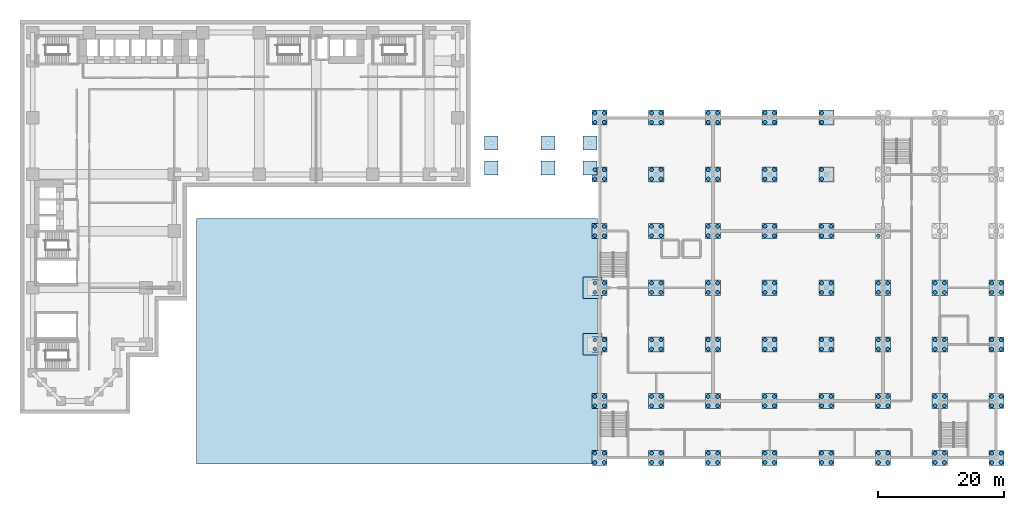
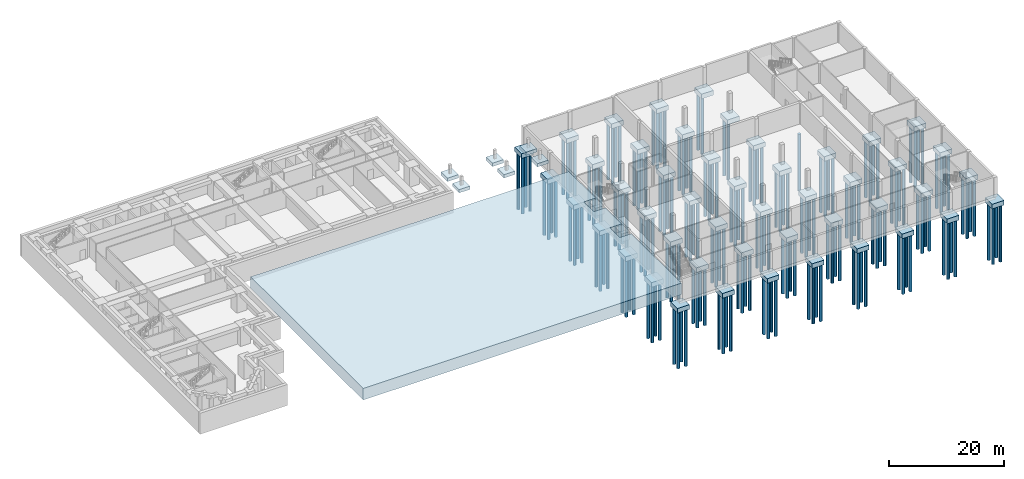
# One storey, part 1 of 12: 185 piles, 56 footings.
"""IFC4 building model written with IfcOpenShell, lengths in metres."""

from ifc_helpers import new_model, si_unit, direction, frame, origin, origin_2d, place, context, subcontext, project, spatial, polyline, rectangle, circle, outline, extrude, material, layer, layer_set, material_profile, profile_set, type_object, element, save


model = new_model("IFC4")

# Units and contexts
model_context = context("Model", 3, precision=1e-05, world=origin(), true_north=direction((0.0, 1.0)))
body_context = subcontext(model_context, "Body", "Model", "MODEL_VIEW")
ifc_project = project(units=[si_unit("LENGTHUNIT", "METRE"), si_unit("AREAUNIT", "SQUARE_METRE"), si_unit("VOLUMEUNIT", "CUBIC_METRE"), si_unit("PLANEANGLEUNIT", "RADIAN"), si_unit("MASSUNIT", "GRAM", prefix="KILO")], contexts=[model_context])

# Site, building, storey
site_placement = place(None, origin())
site = spatial("IfcSite", under=ifc_project, at=site_placement, CompositionType="ELEMENT")
building_placement = place(site_placement, origin())
building = spatial("IfcBuilding", under=site, at=building_placement, Name="Firuza Court", CompositionType="ELEMENT")
storey_placement = place(building_placement, frame((0.0, 0.0, -4.5)))
storey = spatial("IfcBuildingStorey", under=building, at=storey_placement, Name="B1", CompositionType="ELEMENT", Elevation=-4.5)

# Piles
ifc_material_1 = material(Name="Concrete C40/50", Category="concrete")
ifc_material_profile = material_profile(ifc_material_1, circle(Radius=0.300048828125, at=origin_2d()), Name="PILE 600")
ifc_profile_set = profile_set([ifc_material_profile], Name="Concrete C40/50")
pile_type = type_object("IfcPileType", Name="HALL BORED PILE 600", PredefinedType="BORED", material=ifc_profile_set)
for number, where, z_axis, x_axis, name in (
    (1, (89.260009765625, -9.739990234375, -1.60009765625), (0.0, 0.0, -1.0), (1.0, 0.0, 0.0), "Bored pile 1-1.1"),
    (2, (90.739990234375, -9.739990234375, -1.60009765625), (0.0, 0.0, -1.0), (1.0, 0.0, 0.0), "Bored pile 1-1.2"),
    (3, (89.260009765625, -8.260009765625, -1.60009765625), (0.0, 0.0, -1.0), (1.0, 0.0, 0.0), "Bored pile 1-1.3"),
    (4, (90.739990234375, -8.260009765625, -1.60009765625), (0.0, 0.0, -1.0), (1.0, 0.0, 0.0), "Bored pile 1-1.4"),
    (5, (89.260009765625, -0.739990234375, -1.60009765625), (0.0, 0.0, -1.0), (1.0, 0.0, 0.0), "Bored pile 1-2.1"),
    (6, (90.739990234375, -0.739990234375, -1.60009765625), (0.0, 0.0, -1.0), (1.0, 0.0, 0.0), "Bored pile 1-2.2"),
    (7, (89.260009765625, 0.739990234375, -1.60009765625), (0.0, 0.0, -1.0), (1.0, 0.0, 0.0), "Bored pile 1-2.3"),
    (8, (90.739990234375, 0.739990234375, -1.60009765625), (0.0, 0.0, -1.0), (1.0, 0.0, 0.0), "Bored pile 1-2.4"),
    (9, (89.260009765625, 8.260009765625, -1.60009765625), (0.0, 0.0, -1.0), (1.0, 0.0, 0.0), "Bored pile 1-3.1"),
    (10, (90.739990234375, 8.260009765625, -1.60009765625), (0.0, 0.0, -1.0), (1.0, 0.0, 0.0), "Bored pile 1-3.2"),
    (11, (89.260009765625, 9.739990234375, -1.60009765625), (0.0, 0.0, -1.0), (1.0, 0.0, 0.0), "Bored pile 1-3.3"),
    (12, (90.739990234375, 9.739990234375, -1.60009765625), (0.0, 0.0, -1.0), (1.0, 0.0, 0.0), "Bored pile 1-3.4"),
    (13, (89.260009765625, 17.260009765625, -1.60009765625), (0.0, 0.0, -1.0), (1.0, 0.0, 0.0), "Bored pile 1-4.1"),
    (14, (90.739990234375, 17.260009765625, -1.60009765625), (0.0, 0.0, -1.0), (1.0, 0.0, 0.0), "Bored pile 1-4.2"),
    (15, (89.260009765625, 18.739990234375, -1.60009765625), (0.0, 0.0, -1.0), (1.0, 0.0, 0.0), "Bored pile 1-4.3"),
    (16, (90.739990234375, 18.739990234375, -1.60009765625), (0.0, 0.0, -1.0), (1.0, 0.0, 0.0), "Bored pile 1-4.4"),
    (17, (89.260009765625, 26.260009765625, -1.60009765625), (0.0, 0.0, -1.0), (1.0, 0.0, 0.0), "Bored pile 1-5.1"),
    (18, (90.739990234375, 26.260009765625, -1.60009765625), (0.0, 0.0, -1.0), (1.0, 0.0, 0.0), "Bored pile 1-5.2"),
    (19, (89.260009765625, 27.739990234375, -1.60009765625), (0.0, 0.0, -1.0), (1.0, 0.0, 0.0), "Bored pile 1-5.3"),
    (20, (90.739990234375, 27.739990234375, -1.60009765625), (0.0, 0.0, -1.0), (1.0, 0.0, 0.0), "Bored pile 1-5.4"),
    (21, (89.260009765625, 35.260009765625, -1.60009765625), (0.0, 0.0, -1.0), (1.0, 0.0, 0.0), "Bored pile 1-6.1"),
    (22, (90.739990234375, 35.260009765625, -1.60009765625), (0.0, 0.0, -1.0), (1.0, 0.0, 0.0), "Bored pile 1-6.2"),
    (23, (89.260009765625, 36.739990234375, -1.60009765625), (0.0, 0.0, -1.0), (1.0, 0.0, 0.0), "Bored pile 1-6.3"),
    (24, (90.739990234375, 36.739990234375, -1.60009765625), (0.0, 0.0, -1.0), (1.0, 0.0, 0.0), "Bored pile 1-6.4"),
    (25, (89.260009765625, 44.260009765625, -1.60009765625), (0.0, 0.0, -1.0), (1.0, 0.0, 0.0), "Bored pile 1-7.1"),
    (26, (90.739990234375, 44.260009765625, -1.60009765625), (0.0, 0.0, -1.0), (1.0, 0.0, 0.0), "Bored pile 1-7.2"),
    (27, (89.260009765625, 45.739990234375, -1.60009765625), (0.0, 0.0, -1.0), (1.0, 0.0, 0.0), "Bored pile 1-7.3"),
    (28, (90.739990234375, 45.739990234375, -1.60009765625), (0.0, 0.0, -1.0), (1.0, 0.0, 0.0), "Bored pile 1-7.4"),
    (29, (98.260009765625, -9.739990234375, -1.60009765625), (0.0, 0.0, -1.0), (1.0, 0.0, 0.0), "Bored pile 2-1.1"),
    (30, (99.739990234375, -9.739990234375, -1.60009765625), (0.0, 0.0, -1.0), (1.0, 0.0, 0.0), "Bored pile 2-1.2"),
    (31, (98.260009765625, -8.260009765625, -1.60009765625), (0.0, 0.0, -1.0), (1.0, 0.0, 0.0), "Bored pile 2-1.3"),
    (32, (99.739990234375, -8.260009765625, -1.60009765625), (0.0, 0.0, -1.0), (1.0, 0.0, 0.0), "Bored pile 2-1.4"),
    (33, (98.260009765625, -0.739990234375, -1.60009765625), (0.0, 0.0, -1.0), (1.0, 0.0, 0.0), "Bored pile 2-2.1"),
    (34, (99.739990234375, -0.739990234375, -1.60009765625), (0.0, 0.0, -1.0), (1.0, 0.0, 0.0), "Bored pile 2-2.2"),
    (35, (98.260009765625, 0.739990234375, -1.60009765625), (0.0, 0.0, -1.0), (1.0, 0.0, 0.0), "Bored pile 2-2.3"),
    (36, (99.739990234375, 0.739990234375, -1.60009765625), (0.0, 0.0, -1.0), (1.0, 0.0, 0.0), "Bored pile 2-2.4"),
    (37, (98.260009765625, 8.260009765625, -1.60009765625), (0.0, 0.0, -1.0), (1.0, 0.0, 0.0), "Bored pile 2-3.1"),
    (38, (99.739990234375, 8.260009765625, -1.60009765625), (0.0, 0.0, -1.0), (1.0, 0.0, 0.0), "Bored pile 2-3.2"),
    (39, (98.260009765625, 9.739990234375, -1.60009765625), (0.0, 0.0, -1.0), (1.0, 0.0, 0.0), "Bored pile 2-3.3"),
    (40, (99.739990234375, 9.739990234375, -1.60009765625), (0.0, 0.0, -1.0), (1.0, 0.0, 0.0), "Bored pile 2-3.4"),
    (41, (98.260009765625, 17.260009765625, -1.60009765625), (0.0, 0.0, -1.0), (1.0, 0.0, 0.0), "Bored pile 2-4.1"),
    (42, (99.739990234375, 17.260009765625, -1.60009765625), (0.0, 0.0, -1.0), (1.0, 0.0, 0.0), "Bored pile 2-4.2"),
    (43, (98.260009765625, 18.739990234375, -1.60009765625), (0.0, 0.0, -1.0), (1.0, 0.0, 0.0), "Bored pile 2-4.3"),
    (44, (99.739990234375, 18.739990234375, -1.60009765625), (0.0, 0.0, -1.0), (1.0, 0.0, 0.0), "Bored pile 2-4.4"),
    (45, (98.260009765625, 26.260009765625, -1.60009765625), (0.0, 0.0, -1.0), (1.0, 0.0, 0.0), "Bored pile 2-5.1"),
    (46, (99.739990234375, 26.260009765625, -1.60009765625), (0.0, 0.0, -1.0), (1.0, 0.0, 0.0), "Bored pile 2-5.2"),
    (47, (98.260009765625, 27.739990234375, -1.60009765625), (0.0, 0.0, -1.0), (1.0, 0.0, 0.0), "Bored pile 2-5.3"),
    (48, (99.739990234375, 27.739990234375, -1.60009765625), (0.0, 0.0, -1.0), (1.0, 0.0, 0.0), "Bored pile 2-5.4"),
    (49, (98.260009765625, 35.260009765625, -1.60009765625), (0.0, 0.0, -1.0), (1.0, 0.0, 0.0), "Bored pile 2-6.1"),
    (50, (99.739990234375, 35.260009765625, -1.60009765625), (0.0, 0.0, -1.0), (1.0, 0.0, 0.0), "Bored pile 2-6.2"),
    (51, (98.260009765625, 36.739990234375, -1.60009765625), (0.0, 0.0, -1.0), (1.0, 0.0, 0.0), "Bored pile 2-6.3"),
    (52, (99.739990234375, 36.739990234375, -1.60009765625), (0.0, 0.0, -1.0), (1.0, 0.0, 0.0), "Bored pile 2-6.4"),
    (53, (98.260009765625, 44.260009765625, -1.60009765625), (0.0, 0.0, -1.0), (1.0, 0.0, 0.0), "Bored pile 2-7.1"),
    (54, (99.739990234375, 44.260009765625, -1.60009765625), (0.0, 0.0, -1.0), (1.0, 0.0, 0.0), "Bored pile 2-7.2"),
    (55, (98.260009765625, 45.739990234375, -1.60009765625), (0.0, 0.0, -1.0), (1.0, 0.0, 0.0), "Bored pile 2-7.3"),
    (56, (99.739990234375, 45.739990234375, -1.60009765625), (0.0, 0.0, -1.0), (1.0, 0.0, 0.0), "Bored pile 2-7.4"),
    (57, (107.260009765625, -9.739990234375, -1.60009765625), (0.0, 0.0, -1.0), (1.0, 0.0, 0.0), "Bored pile 3-1.1"),
    (58, (108.739990234375, -9.739990234375, -1.60009765625), (0.0, 0.0, -1.0), (1.0, 0.0, 0.0), "Bored pile 3-1.2"),
    (59, (107.260009765625, -8.260009765625, -1.60009765625), (0.0, 0.0, -1.0), (1.0, 0.0, 0.0), "Bored pile 3-1.3"),
    (60, (108.739990234375, -8.260009765625, -1.60009765625), (0.0, 0.0, -1.0), (1.0, 0.0, 0.0), "Bored pile 3-1.4"),
    (61, (107.260009765625, -0.739990234375, -1.60009765625), (0.0, 0.0, -1.0), (1.0, 0.0, 0.0), "Bored pile 3-2.1"),
    (62, (108.739990234375, -0.739990234375, -1.60009765625), (0.0, 0.0, -1.0), (1.0, 0.0, 0.0), "Bored pile 3-2.2"),
    (63, (107.260009765625, 0.739990234375, -1.60009765625), (0.0, 0.0, -1.0), (1.0, 0.0, 0.0), "Bored pile 3-2.3"),
    (64, (108.739990234375, 0.739990234375, -1.60009765625), (0.0, 0.0, -1.0), (1.0, 0.0, 0.0), "Bored pile 3-2.4"),
    (65, (107.260009765625, 8.260009765625, -1.60009765625), (0.0, 0.0, -1.0), (1.0, 0.0, 0.0), "Bored pile 3-3.1"),
    (66, (108.739990234375, 8.260009765625, -1.60009765625), (0.0, 0.0, -1.0), (1.0, 0.0, 0.0), "Bored pile 3-3.2"),
    (67, (107.260009765625, 9.739990234375, -1.60009765625), (0.0, 0.0, -1.0), (1.0, 0.0, 0.0), "Bored pile 3-3.3"),
    (68, (108.739990234375, 9.739990234375, -1.60009765625), (0.0, 0.0, -1.0), (1.0, 0.0, 0.0), "Bored pile 3-3.4"),
    (69, (107.260009765625, 17.260009765625, -1.60009765625), (0.0, 0.0, -1.0), (1.0, 0.0, 0.0), "Bored pile 3-4.1"),
    (70, (108.739990234375, 17.260009765625, -1.60009765625), (0.0, 0.0, -1.0), (1.0, 0.0, 0.0), "Bored pile 3-4.2"),
    (71, (107.260009765625, 18.739990234375, -1.60009765625), (0.0, 0.0, -1.0), (1.0, 0.0, 0.0), "Bored pile 3-4.3"),
    (72, (108.739990234375, 18.739990234375, -1.60009765625), (0.0, 0.0, -1.0), (1.0, 0.0, 0.0), "Bored pile 3-4.4"),
    (73, (107.260009765625, 26.260009765625, -1.60009765625), (0.0, 0.0, -1.0), (1.0, 0.0, 0.0), "Bored pile 3-5.1"),
    (74, (108.739990234375, 26.260009765625, -1.60009765625), (0.0, 0.0, -1.0), (1.0, 0.0, 0.0), "Bored pile 3-5.2"),
    (75, (107.260009765625, 27.739990234375, -1.60009765625), (0.0, 0.0, -1.0), (1.0, 0.0, 0.0), "Bored pile 3-5.3"),
    (76, (108.739990234375, 27.739990234375, -1.60009765625), (0.0, 0.0, -1.0), (1.0, 0.0, 0.0), "Bored pile 3-5.4"),
    (77, (107.260009765625, 35.260009765625, -1.60009765625), (0.0, 0.0, -1.0), (1.0, 0.0, 0.0), "Bored pile 3-6.1"),
    (78, (108.739990234375, 35.260009765625, -1.60009765625), (0.0, 0.0, -1.0), (1.0, 0.0, 0.0), "Bored pile 3-6.2"),
    (79, (107.260009765625, 36.739990234375, -1.60009765625), (0.0, 0.0, -1.0), (1.0, 0.0, 0.0), "Bored pile 3-6.3"),
    (80, (108.739990234375, 36.739990234375, -1.60009765625), (0.0, 0.0, -1.0), (1.0, 0.0, 0.0), "Bored pile 3-6.4"),
    (81, (107.260009765625, 44.260009765625, -1.60009765625), (0.0, 0.0, -1.0), (1.0, 0.0, 0.0), "Bored pile 3-7.1"),
    (82, (108.739990234375, 44.260009765625, -1.60009765625), (0.0, 0.0, -1.0), (1.0, 0.0, 0.0), "Bored pile 3-7.2"),
    (83, (107.260009765625, 45.739990234375, -1.60009765625), (0.0, 0.0, -1.0), (1.0, 0.0, 0.0), "Bored pile 3-7.3"),
    (84, (108.739990234375, 45.739990234375, -1.60009765625), (0.0, 0.0, -1.0), (1.0, 0.0, 0.0), "Bored pile 3-7.4"),
    (85, (116.260009765625, -9.739990234375, -1.60009765625), (0.0, 0.0, -1.0), (1.0, 0.0, 0.0), "Bored pile 4-1.1"),
    (86, (117.739990234375, -9.739990234375, -1.60009765625), (0.0, 0.0, -1.0), (1.0, 0.0, 0.0), "Bored pile 4-1.2"),
    (87, (116.260009765625, -8.260009765625, -1.60009765625), (0.0, 0.0, -1.0), (1.0, 0.0, 0.0), "Bored pile 4-1.3"),
    (88, (117.739990234375, -8.260009765625, -1.60009765625), (0.0, 0.0, -1.0), (1.0, 0.0, 0.0), "Bored pile 4-1.4"),
    (89, (116.260009765625, -0.739990234375, -1.60009765625), (0.0, 0.0, -1.0), (1.0, 0.0, 0.0), "Bored pile 4-2.1"),
    (90, (117.739990234375, -0.739990234375, -1.60009765625), (0.0, 0.0, -1.0), (1.0, 0.0, 0.0), "Bored pile 4-2.2"),
    (91, (116.260009765625, 0.739990234375, -1.60009765625), (0.0, 0.0, -1.0), (1.0, 0.0, 0.0), "Bored pile 4-2.3"),
    (92, (117.739990234375, 0.739990234375, -1.60009765625), (0.0, 0.0, -1.0), (1.0, 0.0, 0.0), "Bored pile 4-2.4"),
    (93, (116.260009765625, 8.260009765625, -1.60009765625), (0.0, 0.0, -1.0), (1.0, 0.0, 0.0), "Bored pile 4-3.1"),
    (94, (117.739990234375, 8.260009765625, -1.60009765625), (0.0, 0.0, -1.0), (1.0, 0.0, 0.0), "Bored pile 4-3.2"),
    (95, (116.260009765625, 9.739990234375, -1.60009765625), (0.0, 0.0, -1.0), (1.0, 0.0, 0.0), "Bored pile 4-3.3"),
    (96, (117.739990234375, 9.739990234375, -1.60009765625), (0.0, 0.0, -1.0), (1.0, 0.0, 0.0), "Bored pile 4-3.4"),
    (97, (116.260009765625, 17.260009765625, -1.60009765625), (0.0, 0.0, -1.0), (1.0, 0.0, 0.0), "Bored pile 4-4.1"),
    (98, (117.739990234375, 17.260009765625, -1.60009765625), (0.0, 0.0, -1.0), (1.0, 0.0, 0.0), "Bored pile 4-4.2"),
    (99, (116.260009765625, 18.739990234375, -1.60009765625), (0.0, 0.0, -1.0), (1.0, 0.0, 0.0), "Bored pile 4-4.3"),
    (100, (117.739990234375, 18.739990234375, -1.60009765625), (0.0, 0.0, -1.0), (1.0, 0.0, 0.0), "Bored pile 4-4.4"),
    (101, (116.260009765625, 26.260009765625, -1.60009765625), (0.0, 0.0, -1.0), (1.0, 0.0, 0.0), "Bored pile 4-5.1"),
    (102, (117.739990234375, 26.260009765625, -1.60009765625), (0.0, 0.0, -1.0), (1.0, 0.0, 0.0), "Bored pile 4-5.2"),
    (103, (116.260009765625, 27.739990234375, -1.60009765625), (0.0, 0.0, -1.0), (1.0, 0.0, 0.0), "Bored pile 4-5.3"),
    (104, (117.739990234375, 27.739990234375, -1.60009765625), (0.0, 0.0, -1.0), (1.0, 0.0, 0.0), "Bored pile 4-5.4"),
    (105, (116.260009765625, 35.260009765625, -1.60009765625), (0.0, 0.0, -1.0), (1.0, 0.0, 0.0), "Bored pile 4-6.1"),
    (106, (117.739990234375, 35.260009765625, -1.60009765625), (0.0, 0.0, -1.0), (1.0, 0.0, 0.0), "Bored pile 4-6.2"),
    (107, (116.260009765625, 36.739990234375, -1.60009765625), (0.0, 0.0, -1.0), (1.0, 0.0, 0.0), "Bored pile 4-6.3"),
    (108, (117.739990234375, 36.739990234375, -1.60009765625), (0.0, 0.0, -1.0), (1.0, 0.0, 0.0), "Bored pile 4-6.4"),
    (109, (116.260009765625, 44.260009765625, -1.60009765625), (0.0, 0.0, -1.0), (1.0, 0.0, 0.0), "Bored pile 4-7.1"),
    (110, (117.739990234375, 44.260009765625, -1.60009765625), (0.0, 0.0, -1.0), (1.0, 0.0, 0.0), "Bored pile 4-7.2"),
    (111, (116.260009765625, 45.739990234375, -1.60009765625), (0.0, 0.0, -1.0), (1.0, 0.0, 0.0), "Bored pile 4-7.3"),
    (112, (117.739990234375, 45.739990234375, -1.60009765625), (0.0, 0.0, -1.0), (1.0, 0.0, 0.0), "Bored pile 4-7.4"),
    (113, (125.260009765625, -9.739990234375, -1.60009765625), (0.0, 0.0, -1.0), (1.0, 0.0, 0.0), "Bored pile 5-1.1"),
    (114, (126.739990234375, -9.739990234375, -1.60009765625), (0.0, 0.0, -1.0), (1.0, 0.0, 0.0), "Bored pile 5-1.2"),
    (115, (125.260009765625, -8.260009765625, -1.60009765625), (0.0, 0.0, -1.0), (1.0, 0.0, 0.0), "Bored pile 5-1.3"),
    (116, (126.739990234375, -8.260009765625, -1.60009765625), (0.0, 0.0, -1.0), (1.0, 0.0, 0.0), "Bored pile 5-1.4"),
    (117, (125.260009765625, -0.739990234375, -1.60009765625), (0.0, 0.0, -1.0), (1.0, 0.0, 0.0), "Bored pile 5-2.1"),
    (118, (126.739990234375, -0.739990234375, -1.60009765625), (0.0, 0.0, -1.0), (1.0, 0.0, 0.0), "Bored pile 5-2.2"),
    (119, (125.260009765625, 0.739990234375, -1.60009765625), (0.0, 0.0, -1.0), (1.0, 0.0, 0.0), "Bored pile 5-2.3"),
    (120, (126.739990234375, 0.739990234375, -1.60009765625), (0.0, 0.0, -1.0), (1.0, 0.0, 0.0), "Bored pile 5-2.4"),
    (121, (125.260009765625, 8.260009765625, -1.60009765625), (0.0, 0.0, -1.0), (1.0, 0.0, 0.0), "Bored pile 5-3.1"),
    (122, (126.739990234375, 8.260009765625, -1.60009765625), (0.0, 0.0, -1.0), (1.0, 0.0, 0.0), "Bored pile 5-3.2"),
    (123, (125.260009765625, 9.739990234375, -1.60009765625), (0.0, 0.0, -1.0), (1.0, 0.0, 0.0), "Bored pile 5-3.3"),
    (124, (126.739990234375, 9.739990234375, -1.60009765625), (0.0, 0.0, -1.0), (1.0, 0.0, 0.0), "Bored pile 5-3.4"),
    (125, (125.260009765625, 17.260009765625, -1.60009765625), (0.0, 0.0, -1.0), (1.0, 0.0, 0.0), "Bored pile 5-4.1"),
    (126, (126.739990234375, 17.260009765625, -1.60009765625), (0.0, 0.0, -1.0), (1.0, 0.0, 0.0), "Bored pile 5-4.2"),
    (127, (125.260009765625, 18.739990234375, -1.60009765625), (0.0, 0.0, -1.0), (1.0, 0.0, 0.0), "Bored pile 5-4.3"),
    (128, (126.739990234375, 18.739990234375, -1.60009765625), (0.0, 0.0, -1.0), (1.0, 0.0, 0.0), "Bored pile 5-4.4"),
    (129, (125.260009765625, 26.260009765625, -1.60009765625), (0.0, 0.0, -1.0), (1.0, 0.0, 0.0), "Bored pile 5-5.1"),
    (130, (126.739990234375, 26.260009765625, -1.60009765625), (0.0, 0.0, -1.0), (1.0, 0.0, 0.0), "Bored pile 5-5.2"),
    (131, (125.260009765625, 27.739990234375, -1.60009765625), (0.0, 0.0, -1.0), (1.0, 0.0, 0.0), "Bored pile 5-5.3"),
    (132, (126.739990234375, 27.739990234375, -1.60009765625), (0.0, 0.0, -1.0), (1.0, 0.0, 0.0), "Bored pile 5-5.4"),
    (133, (125.260009765625, 35.260009765625, -1.60009765625), (0.0, 0.0, -1.0), (1.0, 0.0, 0.0), "Bored pile 5-6.1"),
    (134, (125.260009765625, 36.739990234375, -1.60009765625), (0.0, 0.0, -1.0), (1.0, 0.0, 0.0), "Bored pile 5-6.3"),
    (135, (125.260009765625, 44.260009765625, -1.60009765625), (0.0, 0.0, -1.0), (1.0, 0.0, 0.0), "Bored pile 5-7.1"),
    (136, (125.260009765625, 45.739990234375, -1.60009765625), (0.0, 0.0, -1.0), (1.0, 0.0, 0.0), "Bored pile 5-7.3"),
    (137, (134.260009765625, -9.739990234375, -1.60009765625), (0.0, 0.0, -1.0), (1.0, 0.0, 0.0), "Bored pile 6-1.1"),
    (138, (135.739990234375, -9.739990234375, -1.60009765625), (0.0, 0.0, -1.0), (1.0, 0.0, 0.0), "Bored pile 6-1.2"),
    (139, (134.260009765625, -8.260009765625, -1.60009765625), (0.0, 0.0, -1.0), (1.0, 0.0, 0.0), "Bored pile 6-1.3"),
    (140, (135.739990234375, -8.260009765625, -1.60009765625), (0.0, 0.0, -1.0), (1.0, 0.0, 0.0), "Bored pile 6-1.4"),
    (141, (134.260009765625, -0.739990234375, -1.60009765625), (0.0, 0.0, -1.0), (1.0, 0.0, 0.0), "Bored pile 6-2.1"),
    (142, (135.739990234375, -0.739990234375, -1.60009765625), (0.0, 0.0, -1.0), (1.0, 0.0, 0.0), "Bored pile 6-2.2"),
    (143, (134.260009765625, 0.739990234375, -1.60009765625), (0.0, 0.0, -1.0), (1.0, 0.0, 0.0), "Bored pile 6-2.3"),
    (144, (135.739990234375, 0.739990234375, -1.60009765625), (0.0, 0.0, -1.0), (1.0, 0.0, 0.0), "Bored pile 6-2.4"),
    (145, (134.260009765625, 8.260009765625, -1.60009765625), (0.0, 0.0, -1.0), (1.0, 0.0, 0.0), "Bored pile 6-3.1"),
    (146, (135.739990234375, 8.260009765625, -1.60009765625), (0.0, 0.0, -1.0), (1.0, 0.0, 0.0), "Bored pile 6-3.2"),
    (147, (134.260009765625, 9.739990234375, -1.60009765625), (0.0, 0.0, -1.0), (1.0, 0.0, 0.0), "Bored pile 6-3.3"),
    (148, (135.739990234375, 9.739990234375, -1.60009765625), (0.0, 0.0, -1.0), (1.0, 0.0, 0.0), "Bored pile 6-3.4"),
    (149, (134.260009765625, 17.260009765625, -1.60009765625), (0.0, 0.0, -1.0), (1.0, 0.0, 0.0), "Bored pile 6-4.1"),
    (150, (135.739990234375, 17.260009765625, -1.60009765625), (0.0, 0.0, -1.0), (1.0, 0.0, 0.0), "Bored pile 6-4.2"),
    (151, (134.260009765625, 18.739990234375, -1.60009765625), (0.0, 0.0, -1.0), (1.0, 0.0, 0.0), "Bored pile 6-4.3"),
    (152, (135.739990234375, 18.739990234375, -1.60009765625), (0.0, 0.0, -1.0), (1.0, 0.0, 0.0), "Bored pile 6-4.4"),
    (153, (134.260009765625, 26.260009765625, -1.60009765625), (0.0, 0.0, -1.0), (1.0, 0.0, 0.0), "Bored pile 6-5.1"),
    (154, (143.260009765625, -9.739990234375, -1.60009765625), (0.0, 0.0, -1.0), (1.0, 0.0, 0.0), "Bored pile 7-1.1"),
    (155, (144.739990234375, -9.739990234375, -1.60009765625), (0.0, 0.0, -1.0), (1.0, 0.0, 0.0), "Bored pile 7-1.2"),
    (156, (143.260009765625, -8.260009765625, -1.60009765625), (0.0, 0.0, -1.0), (1.0, 0.0, 0.0), "Bored pile 7-1.3"),
    (157, (144.739990234375, -8.260009765625, -1.60009765625), (0.0, 0.0, -1.0), (1.0, 0.0, 0.0), "Bored pile 7-1.4"),
    (158, (143.260009765625, -0.739990234375, -1.60009765625), (0.0, 0.0, -1.0), (1.0, 0.0, 0.0), "Bored pile 7-2.1"),
    (159, (144.739990234375, -0.739990234375, -1.60009765625), (0.0, 0.0, -1.0), (1.0, 0.0, 0.0), "Bored pile 7-2.2"),
    (160, (143.260009765625, 0.739990234375, -1.60009765625), (0.0, 0.0, -1.0), (1.0, 0.0, 0.0), "Bored pile 7-2.3"),
    (161, (144.739990234375, 0.739990234375, -1.60009765625), (0.0, 0.0, -1.0), (1.0, 0.0, 0.0), "Bored pile 7-2.4"),
    (162, (143.260009765625, 8.260009765625, -1.60009765625), (0.0, 0.0, -1.0), (1.0, 0.0, 0.0), "Bored pile 7-3.1"),
    (163, (144.739990234375, 8.260009765625, -1.60009765625), (0.0, 0.0, -1.0), (1.0, 0.0, 0.0), "Bored pile 7-3.2"),
    (164, (143.260009765625, 9.739990234375, -1.60009765625), (0.0, 0.0, -1.0), (1.0, 0.0, 0.0), "Bored pile 7-3.3"),
    (165, (144.739990234375, 9.739990234375, -1.60009765625), (0.0, 0.0, -1.0), (1.0, 0.0, 0.0), "Bored pile 7-3.4"),
    (166, (143.260009765625, 17.260009765625, -1.60009765625), (0.0, 0.0, -1.0), (1.0, 0.0, 0.0), "Bored pile 7-4.1"),
    (167, (144.739990234375, 17.260009765625, -1.60009765625), (0.0, 0.0, -1.0), (1.0, 0.0, 0.0), "Bored pile 7-4.2"),
    (168, (143.260009765625, 18.739990234375, -1.60009765625), (0.0, 0.0, -1.0), (1.0, 0.0, 0.0), "Bored pile 7-4.3"),
    (169, (144.739990234375, 18.739990234375, -1.60009765625), (0.0, 0.0, -1.0), (1.0, 0.0, 0.0), "Bored pile 7-4.4"),
    (170, (152.260009765625, -9.739990234375, -1.60009765625), (0.0, 0.0, -1.0), (1.0, 0.0, 0.0), "Bored pile 8-1.1"),
    (171, (153.739990234375, -9.739990234375, -1.60009765625), (0.0, 0.0, -1.0), (1.0, 0.0, 0.0), "Bored pile 8-1.2"),
    (172, (152.260009765625, -8.260009765625, -1.60009765625), (0.0, 0.0, -1.0), (1.0, 0.0, 0.0), "Bored pile 8-1.3"),
    (173, (153.739990234375, -8.260009765625, -1.60009765625), (0.0, 0.0, -1.0), (1.0, 0.0, 0.0), "Bored pile 8-1.4"),
    (174, (152.260009765625, -0.739990234375, -1.60009765625), (0.0, 0.0, -1.0), (1.0, 0.0, 0.0), "Bored pile 8-2.1"),
    (175, (153.739990234375, -0.739990234375, -1.60009765625), (0.0, 0.0, -1.0), (1.0, 0.0, 0.0), "Bored pile 8-2.2"),
    (176, (152.260009765625, 0.739990234375, -1.60009765625), (0.0, 0.0, -1.0), (1.0, 0.0, 0.0), "Bored pile 8-2.3"),
    (177, (153.739990234375, 0.739990234375, -1.60009765625), (0.0, 0.0, -1.0), (1.0, 0.0, 0.0), "Bored pile 8-2.4"),
    (178, (152.260009765625, 8.260009765625, -1.60009765625), (0.0, 0.0, -1.0), (1.0, 0.0, 0.0), "Bored pile 8-3.1"),
    (179, (153.739990234375, 8.260009765625, -1.60009765625), (0.0, 0.0, -1.0), (1.0, 0.0, 0.0), "Bored pile 8-3.2"),
    (180, (152.260009765625, 9.739990234375, -1.60009765625), (0.0, 0.0, -1.0), (1.0, 0.0, 0.0), "Bored pile 8-3.3"),
    (181, (153.739990234375, 9.739990234375, -1.60009765625), (0.0, 0.0, -1.0), (1.0, 0.0, 0.0), "Bored pile 8-3.4"),
    (182, (152.260009765625, 17.260009765625, -1.60009765625), (0.0, 0.0, -1.0), (1.0, 0.0, 0.0), "Bored pile 8-4.1"),
    (183, (153.739990234375, 17.260009765625, -1.60009765625), (0.0, 0.0, -1.0), (1.0, 0.0, 0.0), "Bored pile 8-4.2"),
    (184, (152.260009765625, 18.739990234375, -1.60009765625), (0.0, 0.0, -1.0), (1.0, 0.0, 0.0), "Bored pile 8-4.3"),
    (185, (153.739990234375, 18.739990234375, -1.60009765625), (0.0, 0.0, -1.0), (1.0, 0.0, 0.0), "Bored pile 8-4.4"),
):
    element("IfcPile", number, at=place(storey_placement, frame(where, z_axis=z_axis, x_axis=x_axis)), inside=storey, type_object=pile_type, Name=name, PredefinedType="BORED", context=body_context, shape_type="SweptSolid", body=[
        extrude(circle(Radius=0.300048828125, at=origin_2d()), origin(), (0.0, 0.0, 1.0), 12.0),
    ])

# Footings
ifc_material_2 = material(Name="Concrete C40/50", Category="concrete")
ifc_layer_1 = layer(ifc_material_2, 2.449951171875)
ifc_layer_set_1 = layer_set([ifc_layer_1], Name="Concrete C40/50")
footing_type_1 = type_object("IfcFootingType", Name="HALL KERB FOOTING 400", PredefinedType="STRIP_FOOTING", material=ifc_layer_set_1)
footing_placement = place(storey_placement, frame((0.0, 0.0, 1.89990234375)))
element("IfcFooting", 186, at=footing_placement, inside=storey, type_object=footing_type_1, Name="Plaza kerb foundation 1", PredefinedType="STRIP_FOOTING", context=body_context, shape_type="SweptSolid", body=[
    extrude(outline(polyline([(89.699951171875, 19.699951171875), (87.35009765625, 19.699951171875), (87.35009765625, 16.300048828125), (89.699951171875, 16.300048828125), (89.699951171875, 10.699951171875), (87.35009765625, 10.699951171875), (87.35009765625, 7.300048828125), (89.699951171875, 7.300048828125), (89.699951171875, -10.0), (86.0, -10.0), (26.0, -10.0), (26.0, 29.0), (86.0, 29.0), (89.699951171875, 29.0), (89.699951171875, 19.699951171875)])), origin(), (0.0, 0.0, 1.0), 2.4501953125),
])
ifc_layer_2 = layer(ifc_material_2, 0.699951171875)
ifc_layer_set_2 = layer_set([ifc_layer_2], Name="Concrete C40/50")
footing_type_2 = type_object("IfcFootingType", Name="HALL PAD FOOTING 2200X2200", PredefinedType="PAD_FOOTING", material=ifc_layer_set_2)
for number, where, z_axis, x_axis, name in (
    (187, (72.800048828125, 37.0, 1.89990234375), (0.0, 0.0, 1.0), (1.0, 0.0, 0.0), "Arcade footing 1"),
    (188, (72.800048828125, 41.0, 1.89990234375), (0.0, 0.0, 1.0), (1.0, 0.0, 0.0), "Arcade footing 2"),
    (189, (81.800048828125, 37.0, 1.89990234375), (0.0, 0.0, 1.0), (1.0, 0.0, 0.0), "Arcade footing 3"),
    (190, (81.800048828125, 41.0, 1.89990234375), (0.0, 0.0, 1.0), (1.0, 0.0, 0.0), "Arcade footing 4"),
    (191, (88.5, 37.0, 1.89990234375), (0.0, 0.0, 1.0), (1.0, 0.0, 0.0), "Arcade footing 5"),
    (192, (88.5, 41.0, 1.89990234375), (0.0, 0.0, 1.0), (1.0, 0.0, 0.0), "Arcade footing 6"),
):
    element("IfcFooting", number, at=place(storey_placement, frame(where, z_axis=z_axis, x_axis=x_axis)), inside=storey, type_object=footing_type_2, Name=name, PredefinedType="PAD_FOOTING", context=body_context, shape_type="SweptSolid", body=[
        extrude(rectangle(XDim=2.199951171875, YDim=2.199951171875, at=origin_2d()), origin(), (0.0, 0.0, 1.0), 0.699951171875),
    ])
ifc_layer_3 = layer(ifc_material_2, 0.89990234375)
ifc_layer_set_3 = layer_set([ifc_layer_3], Name="Concrete C40/50")
footing_type_3 = type_object("IfcFootingType", Name="HALL PAD FOOTING 3000X3400", PredefinedType="PAD_FOOTING", material=ifc_layer_set_3)
for number, where, z_axis, x_axis, name in (
    (193, (88.85009765625, 9.0, 1.900146484375), (0.0, 0.0, 1.0), (1.0, 0.0, 0.0), "Entrance portal footing 1"),
    (194, (88.85009765625, 18.0, 1.900146484375), (0.0, 0.0, 1.0), (1.0, 0.0, 0.0), "Entrance portal footing 2"),
):
    element("IfcFooting", number, at=place(storey_placement, frame(where, z_axis=z_axis, x_axis=x_axis)), inside=storey, type_object=footing_type_3, Name=name, PredefinedType="PAD_FOOTING", context=body_context, shape_type="SweptSolid", body=[
        extrude(rectangle(XDim=3.0, YDim=3.39990234375, at=origin_2d()), origin(), (0.0, 0.0, 1.0), 0.89990234375),
    ])
ifc_layer_4 = layer(ifc_material_2, 1.0)
ifc_layer_set_4 = layer_set([ifc_layer_4], Name="Concrete C40/50")
footing_type_4 = type_object("IfcFootingType", Name="HALL PILE CAP 2400X2400", PredefinedType="PILE_CAP", material=ifc_layer_set_4)
for number, where, z_axis, x_axis, name in (
    (195, (90.0, -9.0, -1.60009765625), (0.0, 0.0, 1.0), (1.0, 0.0, 0.0), "Pile cap 1-1"),
    (196, (90.0, 0.0, -1.60009765625), (0.0, 0.0, 1.0), (1.0, 0.0, 0.0), "Pile cap 1-2"),
    (197, (90.0, 9.0, -1.60009765625), (0.0, 0.0, 1.0), (1.0, 0.0, 0.0), "Pile cap 1-3"),
    (198, (90.0, 18.0, -1.60009765625), (0.0, 0.0, 1.0), (1.0, 0.0, 0.0), "Pile cap 1-4"),
    (199, (90.0, 27.0, -1.60009765625), (0.0, 0.0, 1.0), (1.0, 0.0, 0.0), "Pile cap 1-5"),
    (200, (90.0, 36.0, -1.60009765625), (0.0, 0.0, 1.0), (1.0, 0.0, 0.0), "Pile cap 1-6"),
    (201, (90.0, 45.0, -1.60009765625), (0.0, 0.0, 1.0), (1.0, 0.0, 0.0), "Pile cap 1-7"),
    (202, (99.0, -9.0, -1.60009765625), (0.0, 0.0, 1.0), (1.0, 0.0, 0.0), "Pile cap 2-1"),
    (203, (99.0, 0.0, -1.60009765625), (0.0, 0.0, 1.0), (1.0, 0.0, 0.0), "Pile cap 2-2"),
    (204, (99.0, 9.0, -1.60009765625), (0.0, 0.0, 1.0), (1.0, 0.0, 0.0), "Pile cap 2-3"),
    (205, (99.0, 18.0, -1.60009765625), (0.0, 0.0, 1.0), (1.0, 0.0, 0.0), "Pile cap 2-4"),
    (206, (99.0, 27.0, -1.60009765625), (0.0, 0.0, 1.0), (1.0, 0.0, 0.0), "Pile cap 2-5"),
    (207, (99.0, 36.0, -1.60009765625), (0.0, 0.0, 1.0), (1.0, 0.0, 0.0), "Pile cap 2-6"),
    (208, (99.0, 45.0, -1.60009765625), (0.0, 0.0, 1.0), (1.0, 0.0, 0.0), "Pile cap 2-7"),
    (209, (108.0, -9.0, -1.60009765625), (0.0, 0.0, 1.0), (1.0, 0.0, 0.0), "Pile cap 3-1"),
    (210, (108.0, 0.0, -1.60009765625), (0.0, 0.0, 1.0), (1.0, 0.0, 0.0), "Pile cap 3-2"),
    (211, (108.0, 9.0, -1.60009765625), (0.0, 0.0, 1.0), (1.0, 0.0, 0.0), "Pile cap 3-3"),
    (212, (108.0, 18.0, -1.60009765625), (0.0, 0.0, 1.0), (1.0, 0.0, 0.0), "Pile cap 3-4"),
    (213, (108.0, 27.0, -1.60009765625), (0.0, 0.0, 1.0), (1.0, 0.0, 0.0), "Pile cap 3-5"),
    (214, (108.0, 36.0, -1.60009765625), (0.0, 0.0, 1.0), (1.0, 0.0, 0.0), "Pile cap 3-6"),
    (215, (108.0, 45.0, -1.60009765625), (0.0, 0.0, 1.0), (1.0, 0.0, 0.0), "Pile cap 3-7"),
    (216, (117.0, -9.0, -1.60009765625), (0.0, 0.0, 1.0), (1.0, 0.0, 0.0), "Pile cap 4-1"),
    (217, (117.0, 0.0, -1.60009765625), (0.0, 0.0, 1.0), (1.0, 0.0, 0.0), "Pile cap 4-2"),
    (218, (117.0, 9.0, -1.60009765625), (0.0, 0.0, 1.0), (1.0, 0.0, 0.0), "Pile cap 4-3"),
    (219, (117.0, 18.0, -1.60009765625), (0.0, 0.0, 1.0), (1.0, 0.0, 0.0), "Pile cap 4-4"),
    (220, (117.0, 27.0, -1.60009765625), (0.0, 0.0, 1.0), (1.0, 0.0, 0.0), "Pile cap 4-5"),
    (221, (117.0, 36.0, -1.60009765625), (0.0, 0.0, 1.0), (1.0, 0.0, 0.0), "Pile cap 4-6"),
    (222, (117.0, 45.0, -1.60009765625), (0.0, 0.0, 1.0), (1.0, 0.0, 0.0), "Pile cap 4-7"),
    (223, (126.0, -9.0, -1.60009765625), (0.0, 0.0, 1.0), (1.0, 0.0, 0.0), "Pile cap 5-1"),
    (224, (126.0, 0.0, -1.60009765625), (0.0, 0.0, 1.0), (1.0, 0.0, 0.0), "Pile cap 5-2"),
    (225, (126.0, 9.0, -1.60009765625), (0.0, 0.0, 1.0), (1.0, 0.0, 0.0), "Pile cap 5-3"),
    (226, (126.0, 18.0, -1.60009765625), (0.0, 0.0, 1.0), (1.0, 0.0, 0.0), "Pile cap 5-4"),
    (227, (126.0, 27.0, -1.60009765625), (0.0, 0.0, 1.0), (1.0, 0.0, 0.0), "Pile cap 5-5"),
    (228, (126.0, 36.0, -1.60009765625), (0.0, 0.0, 1.0), (1.0, 0.0, 0.0), "Pile cap 5-6"),
    (229, (126.0, 45.0, -1.60009765625), (0.0, 0.0, 1.0), (1.0, 0.0, 0.0), "Pile cap 5-7"),
    (230, (135.0, -9.0, -1.60009765625), (0.0, 0.0, 1.0), (1.0, 0.0, 0.0), "Pile cap 6-1"),
    (231, (135.0, 0.0, -1.60009765625), (0.0, 0.0, 1.0), (1.0, 0.0, 0.0), "Pile cap 6-2"),
    (232, (135.0, 9.0, -1.60009765625), (0.0, 0.0, 1.0), (1.0, 0.0, 0.0), "Pile cap 6-3"),
    (233, (135.0, 18.0, -1.60009765625), (0.0, 0.0, 1.0), (1.0, 0.0, 0.0), "Pile cap 6-4"),
    (234, (144.0, -9.0, -1.60009765625), (0.0, 0.0, 1.0), (1.0, 0.0, 0.0), "Pile cap 7-1"),
    (235, (144.0, 0.0, -1.60009765625), (0.0, 0.0, 1.0), (1.0, 0.0, 0.0), "Pile cap 7-2"),
    (236, (144.0, 9.0, -1.60009765625), (0.0, 0.0, 1.0), (1.0, 0.0, 0.0), "Pile cap 7-3"),
    (237, (144.0, 18.0, -1.60009765625), (0.0, 0.0, 1.0), (1.0, 0.0, 0.0), "Pile cap 7-4"),
    (238, (153.0, -9.0, -1.60009765625), (0.0, 0.0, 1.0), (1.0, 0.0, 0.0), "Pile cap 8-1"),
    (239, (153.0, 0.0, -1.60009765625), (0.0, 0.0, 1.0), (1.0, 0.0, 0.0), "Pile cap 8-2"),
    (240, (153.0, 9.0, -1.60009765625), (0.0, 0.0, 1.0), (1.0, 0.0, 0.0), "Pile cap 8-3"),
    (241, (153.0, 18.0, -1.60009765625), (0.0, 0.0, 1.0), (1.0, 0.0, 0.0), "Pile cap 8-4"),
):
    element("IfcFooting", number, at=place(storey_placement, frame(where, z_axis=z_axis, x_axis=x_axis)), inside=storey, type_object=footing_type_4, Name=name, PredefinedType="PILE_CAP", context=body_context, shape_type="SweptSolid", body=[
        extrude(rectangle(XDim=2.39990234375, YDim=2.39990234375, at=origin_2d()), origin(), (0.0, 0.0, 1.0), 1.0),
    ])

save(model, "model.ifc")
